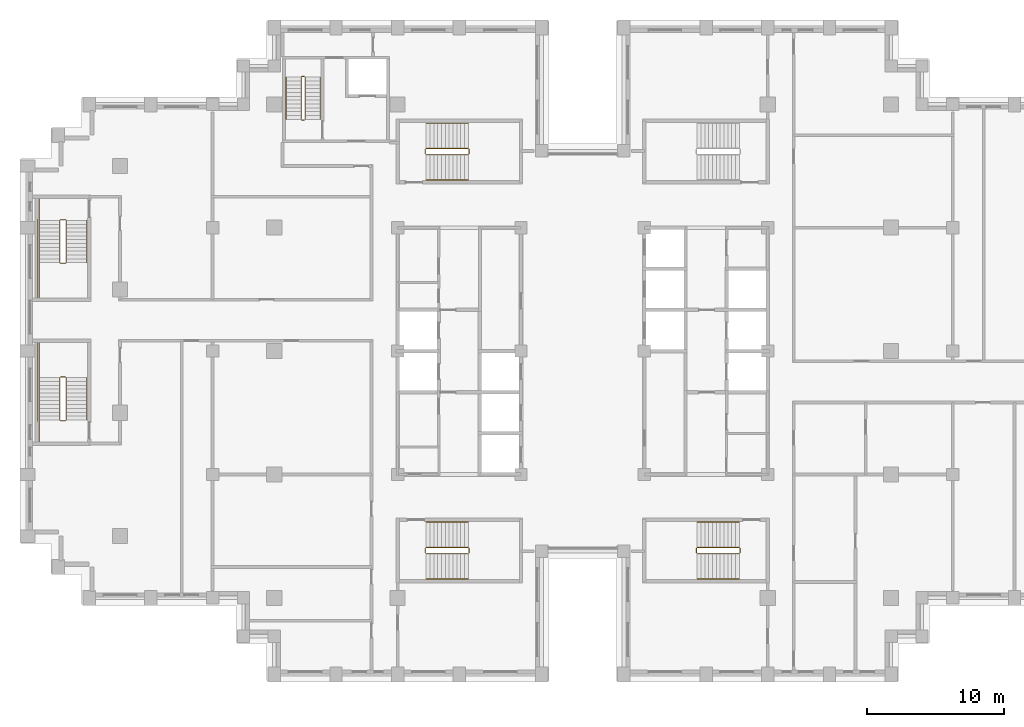
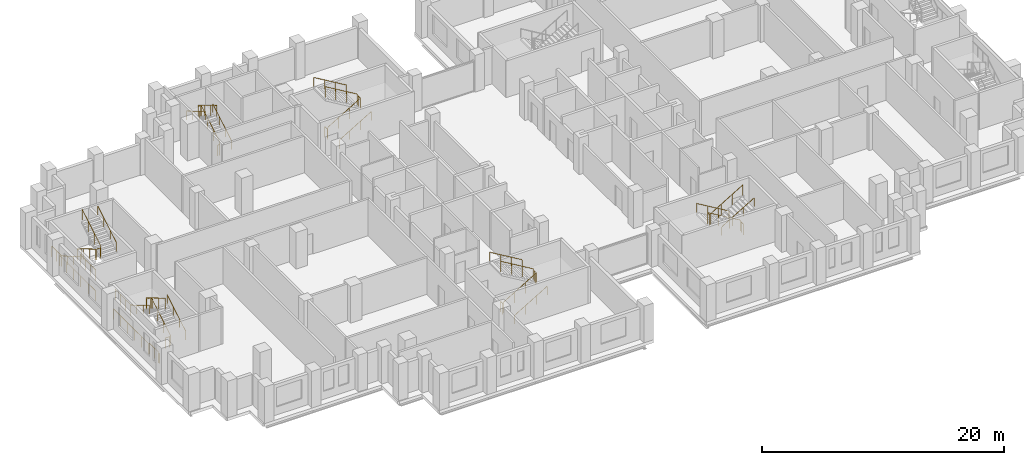
# One storey, part 14 of 15: 6 railings.
"""IFC4 building model written with IfcOpenShell, lengths in metres."""

from ifc_helpers import new_model, si_unit, direction, frame, origin, origin_2d, place, context, subcontext, project, spatial, circle, extrude, material, type_object, element, save


model = new_model("IFC4")

# Units and contexts
model_context = context("Model", 3, precision=1e-05, world=origin(), true_north=direction((0.0, 1.0)))
body_context = subcontext(model_context, "Body", "Model", "MODEL_VIEW")
ifc_project = project(units=[si_unit("LENGTHUNIT", "METRE"), si_unit("AREAUNIT", "SQUARE_METRE"), si_unit("VOLUMEUNIT", "CUBIC_METRE"), si_unit("PLANEANGLEUNIT", "RADIAN"), si_unit("MASSUNIT", "GRAM", prefix="KILO")], contexts=[model_context])

# Site, building, storey
site_placement = place(None, origin())
site = spatial("IfcSite", under=ifc_project, at=site_placement, CompositionType="ELEMENT")
building_placement = place(site_placement, origin())
building = spatial("IfcBuilding", under=site, at=building_placement, Name="Corbelhall Arena Tower", CompositionType="ELEMENT")
storey_placement = place(building_placement, frame((0.0, 0.0, 146.0)))
storey = spatial("IfcBuildingStorey", under=building, at=storey_placement, Name="L28", CompositionType="ELEMENT", Elevation=146.0)

# Railings
ifc_material = material(Name="Steel ASTM A500 Gr C", Category="steel")
railing_type = type_object("IfcRailingType", Name="IN-GD-1100", PredefinedType="GUARDRAIL", material=ifc_material)
railing_1_placement = place(storey_placement, frame((-11.425048828125, 14.324951171875, 0.166748046875)))
element("IfcRailing", 1, at=railing_1_placement, inside=storey, type_object=railing_type, Name="L28 ST1 stair guards and handrails", PredefinedType="GUARDRAIL", context=body_context, shape_type="SweptSolid", body=[
    extrude(circle(Radius=0.02392578125, at=origin_2d()), frame((0.0, 0.0, 1.076171875), z_axis=(0.859308565015, 0.0, 0.511457515432), x_axis=(0.0, 1.0, 0.0)), (0.0, 0.0, 1.0), 3.58447265625),
    extrude(circle(Radius=0.02392578125, at=origin_2d()), frame((3.130126953125, 0.050048828125, 2.9091796875), z_axis=(0.0, 1.0, 0.0), x_axis=(-1.0, 0.0, 0.0)), (0.0, 0.0, 1.0), 0.35009765625),
    extrude(circle(Radius=0.02392578125, at=origin_2d()), frame((3.080078125, 0.449951171875, 3.076171875), z_axis=(-0.859308565015, 0.0, 0.511457515432), x_axis=(0.0, -1.0, 0.0)), (0.0, 0.0, 1.0), 3.58447265625),
    extrude(circle(Radius=0.02392578125, at=origin_2d()), frame((-0.050048828125, 0.050048828125, 0.9091796875), z_axis=(0.0, 1.0, 0.0), x_axis=(-1.0, 0.0, 0.0)), (0.0, 0.0, 1.0), 0.35009765625),
    extrude(circle(Radius=0.02392578125, at=origin_2d()), frame((0.0, -1.849853515625, 0.8759765625), z_axis=(0.859308565015, 0.0, 0.511457515432), x_axis=(0.0, 1.0, 0.0)), (0.0, 0.0, 1.0), 3.58447265625),
    extrude(circle(Radius=0.02392578125, at=origin_2d()), frame((3.080078125, 2.300048828125, 2.8759765625), z_axis=(-0.859308565015, 0.0, 0.511457515432), x_axis=(0.0, -1.0, 0.0)), (0.0, 0.0, 1.0), 3.58447265625),
    extrude(circle(Radius=0.02099609375, at=origin_2d()), origin(), (0.0, 0.0, 1.0), 1.052001953125),
    extrude(circle(Radius=0.02099609375, at=origin_2d()), frame((1.026611328125, 0.0, 0.611083984375)), (0.0, 0.0, 1.0), 1.052001953125),
    extrude(circle(Radius=0.02099609375, at=origin_2d()), frame((2.053466796875, 0.0, 1.22216796875)), (0.0, 0.0, 1.0), 1.052001953125),
    extrude(circle(Radius=0.02099609375, at=origin_2d()), frame((3.080078125, 0.0, 1.833251953125)), (0.0, 0.0, 1.0), 1.052001953125),
    extrude(circle(Radius=0.02099609375, at=origin_2d()), frame((3.130126953125, 0.050048828125, 1.833251953125)), (0.0, 0.0, 1.0), 1.052001953125),
    extrude(circle(Radius=0.02099609375, at=origin_2d()), frame((3.130126953125, 0.400146484375, 1.833251953125)), (0.0, 0.0, 1.0), 1.052001953125),
    extrude(circle(Radius=0.02099609375, at=origin_2d()), frame((3.080078125, 0.449951171875, 2.0)), (0.0, 0.0, 1.0), 1.052001953125),
    extrude(circle(Radius=0.02099609375, at=origin_2d()), frame((2.053466796875, 0.449951171875, 2.611083984375)), (0.0, 0.0, 1.0), 1.052001953125),
    extrude(circle(Radius=0.02099609375, at=origin_2d()), frame((1.026611328125, 0.449951171875, 3.22216796875)), (0.0, 0.0, 1.0), 1.052001953125),
    extrude(circle(Radius=0.02099609375, at=origin_2d()), frame((0.0, 0.449951171875, 3.833251953125)), (0.0, 0.0, 1.0), 1.052001953125),
    extrude(circle(Radius=0.02099609375, at=origin_2d()), frame((-0.050048828125, 0.050048828125, -0.166748046875)), (0.0, 0.0, 1.0), 1.052001953125),
    extrude(circle(Radius=0.02099609375, at=origin_2d()), frame((-0.050048828125, 0.400146484375, -0.166748046875)), (0.0, 0.0, 1.0), 1.052001953125),
    extrude(circle(Radius=0.02099609375, at=origin_2d()), frame((0.0, -1.849853515625, 0.0)), (0.0, 0.0, 1.0), 0.851806640625),
    extrude(circle(Radius=0.02099609375, at=origin_2d()), frame((1.026611328125, -1.849853515625, 0.611083984375)), (0.0, 0.0, 1.0), 0.851806640625),
    extrude(circle(Radius=0.02099609375, at=origin_2d()), frame((2.053466796875, -1.849853515625, 1.22216796875)), (0.0, 0.0, 1.0), 0.851806640625),
    extrude(circle(Radius=0.02099609375, at=origin_2d()), frame((3.080078125, -1.849853515625, 1.833251953125)), (0.0, 0.0, 1.0), 0.851806640625),
    extrude(circle(Radius=0.02099609375, at=origin_2d()), frame((3.080078125, 2.300048828125, 2.0)), (0.0, 0.0, 1.0), 0.851806640625),
    extrude(circle(Radius=0.02099609375, at=origin_2d()), frame((2.053466796875, 2.300048828125, 2.611083984375)), (0.0, 0.0, 1.0), 0.851806640625),
    extrude(circle(Radius=0.02099609375, at=origin_2d()), frame((1.026611328125, 2.300048828125, 3.22216796875)), (0.0, 0.0, 1.0), 0.851806640625),
    extrude(circle(Radius=0.02099609375, at=origin_2d()), frame((0.0, 2.300048828125, 3.833251953125)), (0.0, 0.0, 1.0), 0.851806640625),
])
railing_2_placement = place(storey_placement, frame((-11.425048828125, -14.77490234375, 0.166748046875)))
element("IfcRailing", 2, at=railing_2_placement, inside=storey, type_object=railing_type, Name="L28 ST2 stair guards and handrails", PredefinedType="GUARDRAIL", context=body_context, shape_type="SweptSolid", body=[
    extrude(circle(Radius=0.02392578125, at=origin_2d()), frame((0.0, 0.0, 1.076171875), z_axis=(0.859308565015, 0.0, 0.511457515432), x_axis=(0.0, 1.0, 0.0)), (0.0, 0.0, 1.0), 3.58447265625),
    extrude(circle(Radius=0.02392578125, at=origin_2d()), frame((3.130126953125, 0.0498046875, 2.9091796875), z_axis=(0.0, 1.0, 0.0), x_axis=(-1.0, 0.0, 0.0)), (0.0, 0.0, 1.0), 0.35009765625),
    extrude(circle(Radius=0.02392578125, at=origin_2d()), frame((3.080078125, 0.449951171875, 3.076171875), z_axis=(-0.859308565015, 0.0, 0.511457515432), x_axis=(0.0, -1.0, 0.0)), (0.0, 0.0, 1.0), 3.58447265625),
    extrude(circle(Radius=0.02392578125, at=origin_2d()), frame((-0.050048828125, 0.0498046875, 0.9091796875), z_axis=(0.0, 1.0, 0.0), x_axis=(-1.0, 0.0, 0.0)), (0.0, 0.0, 1.0), 0.35009765625),
    extrude(circle(Radius=0.02392578125, at=origin_2d()), frame((0.0, -1.85009765625, 0.8759765625), z_axis=(0.859308565015, 0.0, 0.511457515432), x_axis=(0.0, 1.0, 0.0)), (0.0, 0.0, 1.0), 3.58447265625),
    extrude(circle(Radius=0.02392578125, at=origin_2d()), frame((3.080078125, 2.2998046875, 2.8759765625), z_axis=(-0.859308565015, 0.0, 0.511457515432), x_axis=(0.0, -1.0, 0.0)), (0.0, 0.0, 1.0), 3.58447265625),
    extrude(circle(Radius=0.02099609375, at=origin_2d()), origin(), (0.0, 0.0, 1.0), 1.052001953125),
    extrude(circle(Radius=0.02099609375, at=origin_2d()), frame((1.026611328125, 0.0, 0.611083984375)), (0.0, 0.0, 1.0), 1.052001953125),
    extrude(circle(Radius=0.02099609375, at=origin_2d()), frame((2.053466796875, 0.0, 1.22216796875)), (0.0, 0.0, 1.0), 1.052001953125),
    extrude(circle(Radius=0.02099609375, at=origin_2d()), frame((3.080078125, 0.0, 1.833251953125)), (0.0, 0.0, 1.0), 1.052001953125),
    extrude(circle(Radius=0.02099609375, at=origin_2d()), frame((3.130126953125, 0.0498046875, 1.833251953125)), (0.0, 0.0, 1.0), 1.052001953125),
    extrude(circle(Radius=0.02099609375, at=origin_2d()), frame((3.130126953125, 0.39990234375, 1.833251953125)), (0.0, 0.0, 1.0), 1.052001953125),
    extrude(circle(Radius=0.02099609375, at=origin_2d()), frame((3.080078125, 0.449951171875, 2.0)), (0.0, 0.0, 1.0), 1.052001953125),
    extrude(circle(Radius=0.02099609375, at=origin_2d()), frame((2.053466796875, 0.449951171875, 2.611083984375)), (0.0, 0.0, 1.0), 1.052001953125),
    extrude(circle(Radius=0.02099609375, at=origin_2d()), frame((1.026611328125, 0.449951171875, 3.22216796875)), (0.0, 0.0, 1.0), 1.052001953125),
    extrude(circle(Radius=0.02099609375, at=origin_2d()), frame((0.0, 0.449951171875, 3.833251953125)), (0.0, 0.0, 1.0), 1.052001953125),
    extrude(circle(Radius=0.02099609375, at=origin_2d()), frame((-0.050048828125, 0.0498046875, -0.166748046875)), (0.0, 0.0, 1.0), 1.052001953125),
    extrude(circle(Radius=0.02099609375, at=origin_2d()), frame((-0.050048828125, 0.39990234375, -0.166748046875)), (0.0, 0.0, 1.0), 1.052001953125),
    extrude(circle(Radius=0.02099609375, at=origin_2d()), frame((0.0, -1.85009765625, 0.0)), (0.0, 0.0, 1.0), 0.851806640625),
    extrude(circle(Radius=0.02099609375, at=origin_2d()), frame((1.026611328125, -1.85009765625, 0.611083984375)), (0.0, 0.0, 1.0), 0.851806640625),
    extrude(circle(Radius=0.02099609375, at=origin_2d()), frame((2.053466796875, -1.85009765625, 1.22216796875)), (0.0, 0.0, 1.0), 0.851806640625),
    extrude(circle(Radius=0.02099609375, at=origin_2d()), frame((3.080078125, -1.85009765625, 1.833251953125)), (0.0, 0.0, 1.0), 0.851806640625),
    extrude(circle(Radius=0.02099609375, at=origin_2d()), frame((3.080078125, 2.2998046875, 2.0)), (0.0, 0.0, 1.0), 0.851806640625),
    extrude(circle(Radius=0.02099609375, at=origin_2d()), frame((2.053466796875, 2.2998046875, 2.611083984375)), (0.0, 0.0, 1.0), 0.851806640625),
    extrude(circle(Radius=0.02099609375, at=origin_2d()), frame((1.026611328125, 2.2998046875, 3.22216796875)), (0.0, 0.0, 1.0), 0.851806640625),
    extrude(circle(Radius=0.02099609375, at=origin_2d()), frame((0.0, 2.2998046875, 3.833251953125)), (0.0, 0.0, 1.0), 0.851806640625),
])
railing_3_placement = place(storey_placement, frame((11.425048828125, -14.324951171875, 0.166748046875)))
element("IfcRailing", 3, at=railing_3_placement, inside=storey, type_object=railing_type, Name="L28 ST4 stair guards and handrails", PredefinedType="GUARDRAIL", context=body_context, shape_type="SweptSolid", body=[
    extrude(circle(Radius=0.02392578125, at=origin_2d()), frame((0.0, 0.0, 1.076171875), z_axis=(-0.859308565015, 0.0, 0.511457515432), x_axis=(0.0, -1.0, 0.0)), (0.0, 0.0, 1.0), 3.58447265625),
    extrude(circle(Radius=0.02392578125, at=origin_2d()), frame((-3.130126953125, -0.050048828125, 2.9091796875), z_axis=(0.0, -1.0, 0.0), x_axis=(1.0, 0.0, 0.0)), (0.0, 0.0, 1.0), 0.35009765625),
    extrude(circle(Radius=0.02392578125, at=origin_2d()), frame((-3.080078125, -0.449951171875, 3.076171875), z_axis=(0.859308565015, 0.0, 0.511457515432), x_axis=(0.0, 1.0, 0.0)), (0.0, 0.0, 1.0), 3.58447265625),
    extrude(circle(Radius=0.02392578125, at=origin_2d()), frame((0.050048828125, -0.050048828125, 0.9091796875), z_axis=(0.0, -1.0, 0.0), x_axis=(1.0, 0.0, 0.0)), (0.0, 0.0, 1.0), 0.35009765625),
    extrude(circle(Radius=0.02392578125, at=origin_2d()), frame((0.0, 1.849853515625, 0.8759765625), z_axis=(-0.859308565015, 0.0, 0.511457515432), x_axis=(0.0, -1.0, 0.0)), (0.0, 0.0, 1.0), 3.58447265625),
    extrude(circle(Radius=0.02392578125, at=origin_2d()), frame((-3.080078125, -2.300048828125, 2.8759765625), z_axis=(0.859308565015, 0.0, 0.511457515432), x_axis=(0.0, 1.0, 0.0)), (0.0, 0.0, 1.0), 3.58447265625),
    extrude(circle(Radius=0.02099609375, at=origin_2d()), origin(), (0.0, 0.0, 1.0), 1.052001953125),
    extrude(circle(Radius=0.02099609375, at=origin_2d()), frame((-1.026611328125, 0.0, 0.611083984375)), (0.0, 0.0, 1.0), 1.052001953125),
    extrude(circle(Radius=0.02099609375, at=origin_2d()), frame((-2.053466796875, 0.0, 1.22216796875)), (0.0, 0.0, 1.0), 1.052001953125),
    extrude(circle(Radius=0.02099609375, at=origin_2d()), frame((-3.080078125, 0.0, 1.833251953125)), (0.0, 0.0, 1.0), 1.052001953125),
    extrude(circle(Radius=0.02099609375, at=origin_2d()), frame((-3.130126953125, -0.050048828125, 1.833251953125)), (0.0, 0.0, 1.0), 1.052001953125),
    extrude(circle(Radius=0.02099609375, at=origin_2d()), frame((-3.130126953125, -0.400146484375, 1.833251953125)), (0.0, 0.0, 1.0), 1.052001953125),
    extrude(circle(Radius=0.02099609375, at=origin_2d()), frame((-3.080078125, -0.449951171875, 2.0)), (0.0, 0.0, 1.0), 1.052001953125),
    extrude(circle(Radius=0.02099609375, at=origin_2d()), frame((-2.053466796875, -0.449951171875, 2.611083984375)), (0.0, 0.0, 1.0), 1.052001953125),
    extrude(circle(Radius=0.02099609375, at=origin_2d()), frame((-1.026611328125, -0.449951171875, 3.22216796875)), (0.0, 0.0, 1.0), 1.052001953125),
    extrude(circle(Radius=0.02099609375, at=origin_2d()), frame((0.0, -0.449951171875, 3.833251953125)), (0.0, 0.0, 1.0), 1.052001953125),
    extrude(circle(Radius=0.02099609375, at=origin_2d()), frame((0.050048828125, -0.050048828125, -0.166748046875)), (0.0, 0.0, 1.0), 1.052001953125),
    extrude(circle(Radius=0.02099609375, at=origin_2d()), frame((0.050048828125, -0.400146484375, -0.166748046875)), (0.0, 0.0, 1.0), 1.052001953125),
    extrude(circle(Radius=0.02099609375, at=origin_2d()), frame((0.0, 1.849853515625, 0.0)), (0.0, 0.0, 1.0), 0.851806640625),
    extrude(circle(Radius=0.02099609375, at=origin_2d()), frame((-1.026611328125, 1.849853515625, 0.611083984375)), (0.0, 0.0, 1.0), 0.851806640625),
    extrude(circle(Radius=0.02099609375, at=origin_2d()), frame((-2.053466796875, 1.849853515625, 1.22216796875)), (0.0, 0.0, 1.0), 0.851806640625),
    extrude(circle(Radius=0.02099609375, at=origin_2d()), frame((-3.080078125, 1.849853515625, 1.833251953125)), (0.0, 0.0, 1.0), 0.851806640625),
    extrude(circle(Radius=0.02099609375, at=origin_2d()), frame((-3.080078125, -2.300048828125, 2.0)), (0.0, 0.0, 1.0), 0.851806640625),
    extrude(circle(Radius=0.02099609375, at=origin_2d()), frame((-2.053466796875, -2.300048828125, 2.611083984375)), (0.0, 0.0, 1.0), 0.851806640625),
    extrude(circle(Radius=0.02099609375, at=origin_2d()), frame((-1.026611328125, -2.300048828125, 3.22216796875)), (0.0, 0.0, 1.0), 0.851806640625),
    extrude(circle(Radius=0.02099609375, at=origin_2d()), frame((0.0, -2.300048828125, 3.833251953125)), (0.0, 0.0, 1.0), 0.851806640625),
])
railing_4_placement = place(storey_placement, frame((-38.14990234375, 9.52490234375, 0.166748046875)))
element("IfcRailing", 4, at=railing_4_placement, inside=storey, type_object=railing_type, Name="L28 SC1 stair guards and handrails", PredefinedType="GUARDRAIL", context=body_context, shape_type="SweptSolid", body=[
    extrude(circle(Radius=0.02392578125, at=origin_2d()), frame((0.0, 0.0, 1.076171875), z_axis=(0.0, -0.859290745958, 0.51148745235), x_axis=(1.0, 0.0, 0.0)), (0.0, 0.0, 1.0), 3.584228515625),
    extrude(circle(Radius=0.02392578125, at=origin_2d()), frame((0.0498046875, -3.1298828125, 2.9091796875), z_axis=(1.0, 0.0, 0.0), x_axis=(0.0, 1.0, 0.0)), (0.0, 0.0, 1.0), 0.375),
    extrude(circle(Radius=0.02392578125, at=origin_2d()), frame((-1.5, -3.079833984375, 2.9091796875), z_axis=(0.0, -1.0, 0.0), x_axis=(1.0, 0.0, 0.0)), (0.0, 0.0, 1.0), 2.570068359375),
    extrude(circle(Radius=0.02392578125, at=origin_2d()), frame((0.474853515625, -3.079833984375, 3.076171875), z_axis=(0.0, 0.859290745958, 0.51148745235), x_axis=(-1.0, 0.0, 0.0)), (0.0, 0.0, 1.0), 3.584228515625),
    extrude(circle(Radius=0.02392578125, at=origin_2d()), frame((0.0498046875, 0.050048828125, 0.9091796875), z_axis=(1.0, 0.0, 0.0), x_axis=(0.0, 1.0, 0.0)), (0.0, 0.0, 1.0), 0.375),
    extrude(circle(Radius=0.02392578125, at=origin_2d()), frame((-1.5, 1.60009765625, 0.9091796875), z_axis=(0.0, -1.0, 0.0), x_axis=(1.0, 0.0, 0.0)), (0.0, 0.0, 1.0), 1.60009765625),
    extrude(circle(Radius=0.02392578125, at=origin_2d()), frame((-1.60009765625, 0.10009765625, 0.9091796875), z_axis=(0.0, -1.0, 0.0), x_axis=(1.0, 0.0, 0.0)), (0.0, 0.0, 1.0), 5.85009765625),
    extrude(circle(Radius=0.02392578125, at=origin_2d()), frame((-1.5, 0.0, 0.8759765625), z_axis=(0.0, -0.859290745958, 0.51148745235), x_axis=(1.0, 0.0, 0.0)), (0.0, 0.0, 1.0), 3.584228515625),
    extrude(circle(Radius=0.02392578125, at=origin_2d()), frame((1.974853515625, -3.079833984375, 2.8759765625), z_axis=(0.0, 0.859290745958, 0.51148745235), x_axis=(-1.0, 0.0, 0.0)), (0.0, 0.0, 1.0), 3.584228515625),
    extrude(circle(Radius=0.02099609375, at=origin_2d()), origin(), (0.0, 0.0, 1.0), 1.052001953125),
    extrude(circle(Radius=0.02099609375, at=origin_2d()), frame((0.0, -1.026611328125, 0.611083984375)), (0.0, 0.0, 1.0), 1.052001953125),
    extrude(circle(Radius=0.02099609375, at=origin_2d()), frame((0.0, -2.05322265625, 1.22216796875)), (0.0, 0.0, 1.0), 1.052001953125),
    extrude(circle(Radius=0.02099609375, at=origin_2d()), frame((0.0, -3.079833984375, 1.833251953125)), (0.0, 0.0, 1.0), 1.052001953125),
    extrude(circle(Radius=0.02099609375, at=origin_2d()), frame((0.0498046875, -3.1298828125, 1.833251953125)), (0.0, 0.0, 1.0), 1.052001953125),
    extrude(circle(Radius=0.02099609375, at=origin_2d()), frame((0.4248046875, -3.1298828125, 1.833251953125)), (0.0, 0.0, 1.0), 1.052001953125),
    extrude(circle(Radius=0.02099609375, at=origin_2d()), frame((-1.5, -3.079833984375, 1.833251953125)), (0.0, 0.0, 1.0), 1.052001953125),
    extrude(circle(Radius=0.02099609375, at=origin_2d()), frame((-1.5, -3.9365234375, 1.833251953125)), (0.0, 0.0, 1.0), 1.052001953125),
    extrude(circle(Radius=0.02099609375, at=origin_2d()), frame((-1.5, -4.793212890625, 1.833251953125)), (0.0, 0.0, 1.0), 1.052001953125),
    extrude(circle(Radius=0.02099609375, at=origin_2d()), frame((-1.5, -5.64990234375, 1.833251953125)), (0.0, 0.0, 1.0), 1.052001953125),
    extrude(circle(Radius=0.02099609375, at=origin_2d()), frame((0.474853515625, -3.079833984375, 2.0)), (0.0, 0.0, 1.0), 1.052001953125),
    extrude(circle(Radius=0.02099609375, at=origin_2d()), frame((0.474853515625, -2.05322265625, 2.611083984375)), (0.0, 0.0, 1.0), 1.052001953125),
    extrude(circle(Radius=0.02099609375, at=origin_2d()), frame((0.474853515625, -1.026611328125, 3.22216796875)), (0.0, 0.0, 1.0), 1.052001953125),
    extrude(circle(Radius=0.02099609375, at=origin_2d()), frame((0.474853515625, 0.0, 3.833251953125)), (0.0, 0.0, 1.0), 1.052001953125),
    extrude(circle(Radius=0.02099609375, at=origin_2d()), frame((0.0498046875, 0.050048828125, -0.166748046875)), (0.0, 0.0, 1.0), 1.052001953125),
    extrude(circle(Radius=0.02099609375, at=origin_2d()), frame((0.4248046875, 0.050048828125, -0.166748046875)), (0.0, 0.0, 1.0), 1.052001953125),
    extrude(circle(Radius=0.02099609375, at=origin_2d()), frame((-1.5, 1.60009765625, -0.166748046875)), (0.0, 0.0, 1.0), 1.052001953125),
    extrude(circle(Radius=0.02099609375, at=origin_2d()), frame((-1.5, 0.800048828125, -0.166748046875)), (0.0, 0.0, 1.0), 1.052001953125),
    extrude(circle(Radius=0.02099609375, at=origin_2d()), frame((-1.5, 0.0, -0.166748046875)), (0.0, 0.0, 1.0), 1.052001953125),
    extrude(circle(Radius=0.02099609375, at=origin_2d()), frame((-1.60009765625, 0.10009765625, -0.166748046875)), (0.0, 0.0, 1.0), 1.052001953125),
    extrude(circle(Radius=0.02099609375, at=origin_2d()), frame((-1.60009765625, -1.06982421875, -0.166748046875)), (0.0, 0.0, 1.0), 1.052001953125),
    extrude(circle(Radius=0.02099609375, at=origin_2d()), frame((-1.60009765625, -2.239990234375, -0.166748046875)), (0.0, 0.0, 1.0), 1.052001953125),
    extrude(circle(Radius=0.02099609375, at=origin_2d()), frame((-1.60009765625, -3.409912109375, -0.166748046875)), (0.0, 0.0, 1.0), 1.052001953125),
    extrude(circle(Radius=0.02099609375, at=origin_2d()), frame((-1.60009765625, -4.580078125, -0.166748046875)), (0.0, 0.0, 1.0), 1.052001953125),
    extrude(circle(Radius=0.02099609375, at=origin_2d()), frame((-1.60009765625, -5.75, -0.166748046875)), (0.0, 0.0, 1.0), 1.052001953125),
    extrude(circle(Radius=0.02099609375, at=origin_2d()), frame((-1.5, 0.0, 0.0)), (0.0, 0.0, 1.0), 0.851806640625),
    extrude(circle(Radius=0.02099609375, at=origin_2d()), frame((-1.5, -1.026611328125, 0.611083984375)), (0.0, 0.0, 1.0), 0.851806640625),
    extrude(circle(Radius=0.02099609375, at=origin_2d()), frame((-1.5, -2.05322265625, 1.22216796875)), (0.0, 0.0, 1.0), 0.851806640625),
    extrude(circle(Radius=0.02099609375, at=origin_2d()), frame((1.974853515625, -3.079833984375, 2.0)), (0.0, 0.0, 1.0), 0.851806640625),
    extrude(circle(Radius=0.02099609375, at=origin_2d()), frame((1.974853515625, -2.05322265625, 2.611083984375)), (0.0, 0.0, 1.0), 0.851806640625),
    extrude(circle(Radius=0.02099609375, at=origin_2d()), frame((1.974853515625, -1.026611328125, 3.22216796875)), (0.0, 0.0, 1.0), 0.851806640625),
    extrude(circle(Radius=0.02099609375, at=origin_2d()), frame((1.974853515625, 0.0, 3.833251953125)), (0.0, 0.0, 1.0), 0.851806640625),
])
railing_5_placement = place(storey_placement, frame((-37.675048828125, -5.02490234375, 0.166748046875)))
element("IfcRailing", 5, at=railing_5_placement, inside=storey, type_object=railing_type, Name="L28 SC2 stair guards and handrails", PredefinedType="GUARDRAIL", context=body_context, shape_type="SweptSolid", body=[
    extrude(circle(Radius=0.02392578125, at=origin_2d()), frame((0.0, 0.0, 1.076171875), z_axis=(0.0, 0.859290745958, 0.51148745235), x_axis=(-1.0, 0.0, 0.0)), (0.0, 0.0, 1.0), 3.584228515625),
    extrude(circle(Radius=0.02392578125, at=origin_2d()), frame((-0.050048828125, 3.1298828125, 2.9091796875), z_axis=(-1.0, 0.0, 0.0), x_axis=(0.0, -1.0, 0.0)), (0.0, 0.0, 1.0), 0.375),
    extrude(circle(Radius=0.02392578125, at=origin_2d()), frame((-1.974853515625, 3.079833984375, 2.9091796875), z_axis=(0.0, 1.0, 0.0), x_axis=(-1.0, 0.0, 0.0)), (0.0, 0.0, 1.0), 2.570068359375),
    extrude(circle(Radius=0.02392578125, at=origin_2d()), frame((-0.474853515625, 3.079833984375, 3.076171875), z_axis=(0.0, -0.859290745958, 0.51148745235), x_axis=(1.0, 0.0, 0.0)), (0.0, 0.0, 1.0), 3.584228515625),
    extrude(circle(Radius=0.02392578125, at=origin_2d()), frame((-0.050048828125, -0.050048828125, 0.9091796875), z_axis=(-1.0, 0.0, 0.0), x_axis=(0.0, -1.0, 0.0)), (0.0, 0.0, 1.0), 0.375),
    extrude(circle(Radius=0.02392578125, at=origin_2d()), frame((-1.974853515625, -1.60009765625, 0.9091796875), z_axis=(0.0, 1.0, 0.0), x_axis=(-1.0, 0.0, 0.0)), (0.0, 0.0, 1.0), 1.60009765625),
    extrude(circle(Radius=0.02392578125, at=origin_2d()), frame((-2.074951171875, -0.10009765625, 0.9091796875), z_axis=(0.0, 1.0, 0.0), x_axis=(-1.0, 0.0, 0.0)), (0.0, 0.0, 1.0), 5.85009765625),
    extrude(circle(Radius=0.02392578125, at=origin_2d()), frame((1.5, 0.0, 0.8759765625), z_axis=(0.0, 0.859290745958, 0.51148745235), x_axis=(-1.0, 0.0, 0.0)), (0.0, 0.0, 1.0), 3.584228515625),
    extrude(circle(Radius=0.02392578125, at=origin_2d()), frame((-1.974853515625, 3.079833984375, 2.8759765625), z_axis=(0.0, -0.859290745958, 0.51148745235), x_axis=(1.0, 0.0, 0.0)), (0.0, 0.0, 1.0), 3.584228515625),
    extrude(circle(Radius=0.02099609375, at=origin_2d()), origin(), (0.0, 0.0, 1.0), 1.052001953125),
    extrude(circle(Radius=0.02099609375, at=origin_2d()), frame((0.0, 1.026611328125, 0.611083984375)), (0.0, 0.0, 1.0), 1.052001953125),
    extrude(circle(Radius=0.02099609375, at=origin_2d()), frame((0.0, 2.05322265625, 1.22216796875)), (0.0, 0.0, 1.0), 1.052001953125),
    extrude(circle(Radius=0.02099609375, at=origin_2d()), frame((0.0, 3.079833984375, 1.833251953125)), (0.0, 0.0, 1.0), 1.052001953125),
    extrude(circle(Radius=0.02099609375, at=origin_2d()), frame((-0.050048828125, 3.1298828125, 1.833251953125)), (0.0, 0.0, 1.0), 1.052001953125),
    extrude(circle(Radius=0.02099609375, at=origin_2d()), frame((-0.425048828125, 3.1298828125, 1.833251953125)), (0.0, 0.0, 1.0), 1.052001953125),
    extrude(circle(Radius=0.02099609375, at=origin_2d()), frame((-1.974853515625, 3.079833984375, 1.833251953125)), (0.0, 0.0, 1.0), 1.052001953125),
    extrude(circle(Radius=0.02099609375, at=origin_2d()), frame((-1.974853515625, 3.9365234375, 1.833251953125)), (0.0, 0.0, 1.0), 1.052001953125),
    extrude(circle(Radius=0.02099609375, at=origin_2d()), frame((-1.974853515625, 4.793212890625, 1.833251953125)), (0.0, 0.0, 1.0), 1.052001953125),
    extrude(circle(Radius=0.02099609375, at=origin_2d()), frame((-1.974853515625, 5.64990234375, 1.833251953125)), (0.0, 0.0, 1.0), 1.052001953125),
    extrude(circle(Radius=0.02099609375, at=origin_2d()), frame((-0.474853515625, 3.079833984375, 2.0)), (0.0, 0.0, 1.0), 1.052001953125),
    extrude(circle(Radius=0.02099609375, at=origin_2d()), frame((-0.474853515625, 2.05322265625, 2.611083984375)), (0.0, 0.0, 1.0), 1.052001953125),
    extrude(circle(Radius=0.02099609375, at=origin_2d()), frame((-0.474853515625, 1.026611328125, 3.22216796875)), (0.0, 0.0, 1.0), 1.052001953125),
    extrude(circle(Radius=0.02099609375, at=origin_2d()), frame((-0.474853515625, 0.0, 3.833251953125)), (0.0, 0.0, 1.0), 1.052001953125),
    extrude(circle(Radius=0.02099609375, at=origin_2d()), frame((-0.050048828125, -0.050048828125, -0.166748046875)), (0.0, 0.0, 1.0), 1.052001953125),
    extrude(circle(Radius=0.02099609375, at=origin_2d()), frame((-0.425048828125, -0.050048828125, -0.166748046875)), (0.0, 0.0, 1.0), 1.052001953125),
    extrude(circle(Radius=0.02099609375, at=origin_2d()), frame((-1.974853515625, -1.60009765625, -0.166748046875)), (0.0, 0.0, 1.0), 1.052001953125),
    extrude(circle(Radius=0.02099609375, at=origin_2d()), frame((-1.974853515625, -0.800048828125, -0.166748046875)), (0.0, 0.0, 1.0), 1.052001953125),
    extrude(circle(Radius=0.02099609375, at=origin_2d()), frame((-1.974853515625, 0.0, -0.166748046875)), (0.0, 0.0, 1.0), 1.052001953125),
    extrude(circle(Radius=0.02099609375, at=origin_2d()), frame((-2.074951171875, -0.10009765625, -0.166748046875)), (0.0, 0.0, 1.0), 1.052001953125),
    extrude(circle(Radius=0.02099609375, at=origin_2d()), frame((-2.074951171875, 1.06982421875, -0.166748046875)), (0.0, 0.0, 1.0), 1.052001953125),
    extrude(circle(Radius=0.02099609375, at=origin_2d()), frame((-2.074951171875, 2.239990234375, -0.166748046875)), (0.0, 0.0, 1.0), 1.052001953125),
    extrude(circle(Radius=0.02099609375, at=origin_2d()), frame((-2.074951171875, 3.409912109375, -0.166748046875)), (0.0, 0.0, 1.0), 1.052001953125),
    extrude(circle(Radius=0.02099609375, at=origin_2d()), frame((-2.074951171875, 4.580078125, -0.166748046875)), (0.0, 0.0, 1.0), 1.052001953125),
    extrude(circle(Radius=0.02099609375, at=origin_2d()), frame((-2.074951171875, 5.75, -0.166748046875)), (0.0, 0.0, 1.0), 1.052001953125),
    extrude(circle(Radius=0.02099609375, at=origin_2d()), frame((1.5, 0.0, 0.0)), (0.0, 0.0, 1.0), 0.851806640625),
    extrude(circle(Radius=0.02099609375, at=origin_2d()), frame((1.5, 1.026611328125, 0.611083984375)), (0.0, 0.0, 1.0), 0.851806640625),
    extrude(circle(Radius=0.02099609375, at=origin_2d()), frame((1.5, 2.05322265625, 1.22216796875)), (0.0, 0.0, 1.0), 0.851806640625),
    extrude(circle(Radius=0.02099609375, at=origin_2d()), frame((1.5, 3.079833984375, 1.833251953125)), (0.0, 0.0, 1.0), 0.851806640625),
    extrude(circle(Radius=0.02099609375, at=origin_2d()), frame((-1.974853515625, 3.079833984375, 2.0)), (0.0, 0.0, 1.0), 0.851806640625),
    extrude(circle(Radius=0.02099609375, at=origin_2d()), frame((-1.974853515625, 2.05322265625, 2.611083984375)), (0.0, 0.0, 1.0), 0.851806640625),
    extrude(circle(Radius=0.02099609375, at=origin_2d()), frame((-1.974853515625, 1.026611328125, 3.22216796875)), (0.0, 0.0, 1.0), 0.851806640625),
    extrude(circle(Radius=0.02099609375, at=origin_2d()), frame((-1.974853515625, 0.0, 3.833251953125)), (0.0, 0.0, 1.0), 0.851806640625),
])
railing_6_placement = place(storey_placement, frame((-20.2451171875, 16.89990234375, 0.166748046875)))
element("IfcRailing", 6, at=railing_6_placement, inside=storey, type_object=railing_type, Name="L28 ST5 stair guards and handrails", PredefinedType="GUARDRAIL", context=body_context, shape_type="SweptSolid", body=[
    extrude(circle(Radius=0.02392578125, at=origin_2d()), frame((0.0, 0.0, 1.076171875), z_axis=(0.0, 0.859308565015, 0.511457515432), x_axis=(-1.0, 0.0, 0.0)), (0.0, 0.0, 1.0), 3.58447265625),
    extrude(circle(Radius=0.02392578125, at=origin_2d()), frame((-0.0498046875, 3.130126953125, 2.9091796875), z_axis=(-1.0, 0.0, 0.0), x_axis=(0.0, -1.0, 0.0)), (0.0, 0.0, 1.0), 0.2001953125),
    extrude(circle(Radius=0.02392578125, at=origin_2d()), frame((-0.2998046875, 3.080078125, 3.076171875), z_axis=(0.0, -0.859308565015, 0.511457515432), x_axis=(1.0, 0.0, 0.0)), (0.0, 0.0, 1.0), 3.58447265625),
    extrude(circle(Radius=0.02392578125, at=origin_2d()), frame((-0.0498046875, -0.0498046875, 0.9091796875), z_axis=(-1.0, 0.0, 0.0), x_axis=(0.0, -1.0, 0.0)), (0.0, 0.0, 1.0), 0.2001953125),
    extrude(circle(Radius=0.02392578125, at=origin_2d()), frame((1.10009765625, 0.0, 0.8759765625), z_axis=(0.0, 0.859308565015, 0.511457515432), x_axis=(-1.0, 0.0, 0.0)), (0.0, 0.0, 1.0), 3.58447265625),
    extrude(circle(Radius=0.02392578125, at=origin_2d()), frame((-1.39990234375, 3.080078125, 2.8759765625), z_axis=(0.0, -0.859308565015, 0.511457515432), x_axis=(1.0, 0.0, 0.0)), (0.0, 0.0, 1.0), 3.58447265625),
    extrude(circle(Radius=0.02099609375, at=origin_2d()), origin(), (0.0, 0.0, 1.0), 1.052001953125),
    extrude(circle(Radius=0.02099609375, at=origin_2d()), frame((0.0, 1.026611328125, 0.611083984375)), (0.0, 0.0, 1.0), 1.052001953125),
    extrude(circle(Radius=0.02099609375, at=origin_2d()), frame((0.0, 2.053466796875, 1.22216796875)), (0.0, 0.0, 1.0), 1.052001953125),
    extrude(circle(Radius=0.02099609375, at=origin_2d()), frame((0.0, 3.080078125, 1.833251953125)), (0.0, 0.0, 1.0), 1.052001953125),
    extrude(circle(Radius=0.02099609375, at=origin_2d()), frame((-0.0498046875, 3.130126953125, 1.833251953125)), (0.0, 0.0, 1.0), 1.052001953125),
    extrude(circle(Radius=0.02099609375, at=origin_2d()), frame((-0.25, 3.130126953125, 1.833251953125)), (0.0, 0.0, 1.0), 1.052001953125),
    extrude(circle(Radius=0.02099609375, at=origin_2d()), frame((-0.2998046875, 3.080078125, 2.0)), (0.0, 0.0, 1.0), 1.052001953125),
    extrude(circle(Radius=0.02099609375, at=origin_2d()), frame((-0.2998046875, 2.053466796875, 2.611083984375)), (0.0, 0.0, 1.0), 1.052001953125),
    extrude(circle(Radius=0.02099609375, at=origin_2d()), frame((-0.2998046875, 1.026611328125, 3.22216796875)), (0.0, 0.0, 1.0), 1.052001953125),
    extrude(circle(Radius=0.02099609375, at=origin_2d()), frame((-0.2998046875, 0.0, 3.833251953125)), (0.0, 0.0, 1.0), 1.052001953125),
    extrude(circle(Radius=0.02099609375, at=origin_2d()), frame((-0.0498046875, -0.0498046875, -0.166748046875)), (0.0, 0.0, 1.0), 1.052001953125),
    extrude(circle(Radius=0.02099609375, at=origin_2d()), frame((-0.25, -0.0498046875, -0.166748046875)), (0.0, 0.0, 1.0), 1.052001953125),
    extrude(circle(Radius=0.02099609375, at=origin_2d()), frame((1.10009765625, 0.0, 0.0)), (0.0, 0.0, 1.0), 0.851806640625),
    extrude(circle(Radius=0.02099609375, at=origin_2d()), frame((1.10009765625, 1.026611328125, 0.611083984375)), (0.0, 0.0, 1.0), 0.851806640625),
    extrude(circle(Radius=0.02099609375, at=origin_2d()), frame((1.10009765625, 2.053466796875, 1.22216796875)), (0.0, 0.0, 1.0), 0.851806640625),
    extrude(circle(Radius=0.02099609375, at=origin_2d()), frame((1.10009765625, 3.080078125, 1.833251953125)), (0.0, 0.0, 1.0), 0.851806640625),
    extrude(circle(Radius=0.02099609375, at=origin_2d()), frame((-1.39990234375, 3.080078125, 2.0)), (0.0, 0.0, 1.0), 0.851806640625),
    extrude(circle(Radius=0.02099609375, at=origin_2d()), frame((-1.39990234375, 2.053466796875, 2.611083984375)), (0.0, 0.0, 1.0), 0.851806640625),
    extrude(circle(Radius=0.02099609375, at=origin_2d()), frame((-1.39990234375, 1.026611328125, 3.22216796875)), (0.0, 0.0, 1.0), 0.851806640625),
    extrude(circle(Radius=0.02099609375, at=origin_2d()), frame((-1.39990234375, 0.0, 3.833251953125)), (0.0, 0.0, 1.0), 0.851806640625),
])

save(model, "model.ifc")
